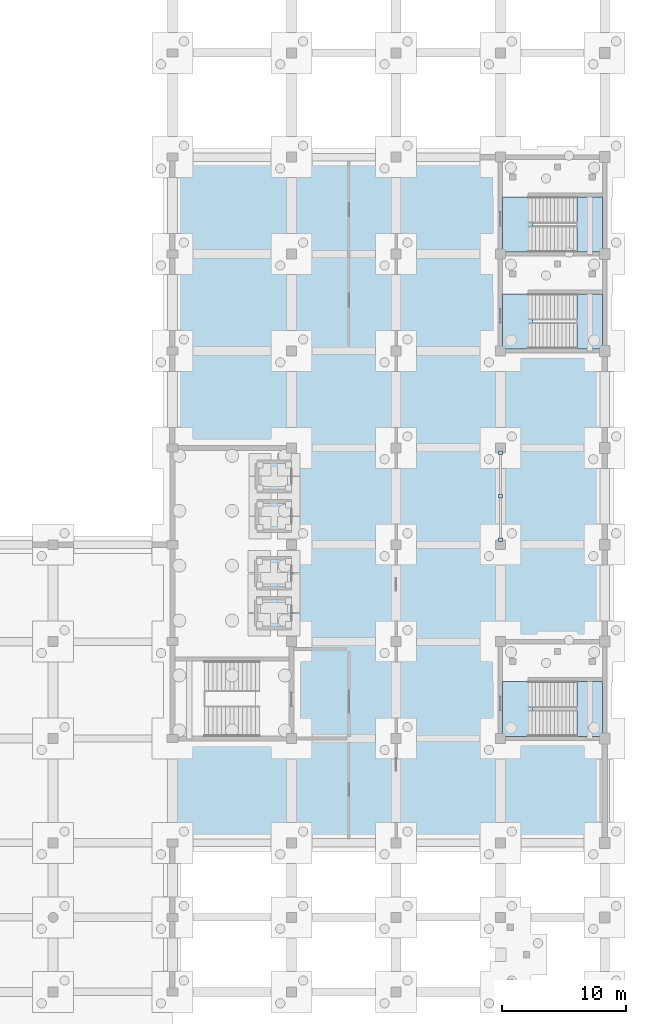
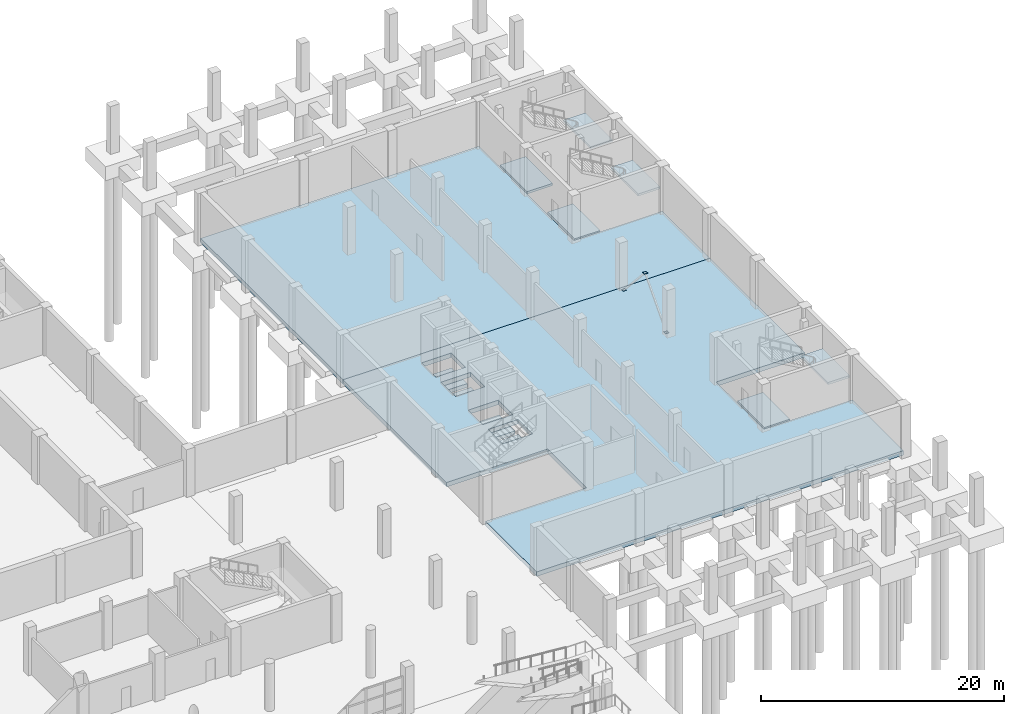
# One storey, part 28 of 42: 12 slabs, 3 plates, 3 elements without a shape of their own.
"""IFC4 building model written with IfcOpenShell, lengths in metres."""

from ifc_helpers import new_model, si_unit, direction, frame, origin, origin_2d, place, context, subcontext, project, spatial, polyline, rectangle, outline, extrude, material, layer, layer_set, type_object, element, aggregate, save


model = new_model("IFC4")

# Units and contexts
model_context = context("Model", 3, precision=1e-05, world=origin(), true_north=direction((0.0, 1.0)))
body_context = subcontext(model_context, "Body", "Model", "MODEL_VIEW")
ifc_project = project(units=[si_unit("LENGTHUNIT", "METRE"), si_unit("AREAUNIT", "SQUARE_METRE"), si_unit("VOLUMEUNIT", "CUBIC_METRE"), si_unit("PLANEANGLEUNIT", "RADIAN"), si_unit("MASSUNIT", "GRAM", prefix="KILO")], contexts=[model_context])

# Site, building, storey
site_placement = place(None, origin())
site = spatial("IfcSite", under=ifc_project, at=site_placement, CompositionType="ELEMENT")
building_placement = place(site_placement, origin())
building = spatial("IfcBuilding", under=site, at=building_placement, Name="Pellamere Symphony Hall", CompositionType="ELEMENT")
storey_placement = place(building_placement, frame((0.0, 0.0, -4.800048828125)))
storey = spatial("IfcBuildingStorey", under=building, at=storey_placement, Name="B1", CompositionType="ELEMENT", Elevation=-4.800048828125)

# Stair, slabs
ifc_material_1 = material(Name="Concrete 40 MPa", Category="concrete")
stair_type = type_object("IfcStairType", Name="Stair ST-B W2050", PredefinedType="HALF_TURN_STAIR", material=ifc_material_1)
stair_1_placement = place(storey_placement, origin())
stair_1 = element("IfcStair", 1, at=stair_1_placement, inside=storey, type_object=stair_type, Name="Exit Stair ST05-B1 (B1 to L00)", PredefinedType="HALF_TURN_STAIR")
ifc_layer_1 = layer(ifc_material_1, 0.219970703125, Name="Concrete 40 MPa")
ifc_layer_set_1 = layer_set([ifc_layer_1], Name="Concrete 40 MPa")
slab_type_1 = type_object("IfcSlabType", Name="Stair Landing SL-01 220mm", PredefinedType="LANDING", material=ifc_layer_set_1)
slab_1_placement = place(storey_placement, frame((0.0, 0.0, -0.219970703125)))
slab_1 = element("IfcSlab", 2, at=slab_1_placement, type_object=slab_type_1, Name="Stair ST05-B1 Bottom Landing (B1)", PredefinedType="LANDING", context=body_context, shape_type="SweptSolid", body=[
    extrude(outline(polyline([(164.56005859375, 69.760009765625), (166.97509765625, 69.760009765625), (166.97509765625, 74.199951171875), (164.56005859375, 74.199951171875), (164.56005859375, 69.760009765625)])), origin(), (0.0, 0.0, 1.0), 0.219970703125),
])
slab_2_placement = place(storey_placement, frame((0.0, 0.0, 2.179931640625)))
slab_2 = element("IfcSlab", 3, at=slab_2_placement, type_object=slab_type_1, Name="Stair ST05-B1 Half Landing (B1)", PredefinedType="LANDING", context=body_context, shape_type="SweptSolid", body=[
    extrude(outline(polyline([(170.574951171875, 69.760009765625), (172.639892578125, 69.760009765625), (172.639892578125, 74.199951171875), (170.574951171875, 74.199951171875), (170.574951171875, 69.760009765625)])), origin(), (0.0, 0.0, 1.0), 0.22021484375),
])
aggregate(stair_1, [slab_1, slab_2])

stair_2_placement = place(storey_placement, origin())
stair_2 = element("IfcStair", 4, at=stair_2_placement, inside=storey, type_object=stair_type, Name="Exit Stair ST06-B1 (B1 to L00)", PredefinedType="HALF_TURN_STAIR")
slab_3_placement = place(storey_placement, frame((0.0, 0.0, -0.219970703125)))
slab_3 = element("IfcSlab", 5, at=slab_3_placement, type_object=slab_type_1, Name="Stair ST06-B1 Bottom Landing (B1)", PredefinedType="LANDING", context=body_context, shape_type="SweptSolid", body=[
    extrude(outline(polyline([(164.56005859375, 38.56005859375), (166.97509765625, 38.56005859375), (166.97509765625, 43.0), (164.56005859375, 43.0), (164.56005859375, 38.56005859375)])), origin(), (0.0, 0.0, 1.0), 0.219970703125),
])
slab_4_placement = place(storey_placement, frame((0.0, 0.0, 2.179931640625)))
slab_4 = element("IfcSlab", 6, at=slab_4_placement, type_object=slab_type_1, Name="Stair ST06-B1 Half Landing (B1)", PredefinedType="LANDING", context=body_context, shape_type="SweptSolid", body=[
    extrude(outline(polyline([(170.574951171875, 38.56005859375), (172.639892578125, 38.56005859375), (172.639892578125, 43.0), (170.574951171875, 43.0), (170.574951171875, 38.56005859375)])), origin(), (0.0, 0.0, 1.0), 0.22021484375),
])
aggregate(stair_2, [slab_3, slab_4])

stair_3_placement = place(storey_placement, origin())
stair_3 = element("IfcStair", 7, at=stair_3_placement, inside=storey, type_object=stair_type, Name="Exit Stair ST14-B1 (B1 to L00)", PredefinedType="HALF_TURN_STAIR")
slab_5_placement = place(storey_placement, frame((0.0, 0.0, -0.219970703125)))
slab_5 = element("IfcSlab", 8, at=slab_5_placement, type_object=slab_type_1, Name="Stair ST14-B1 Bottom Landing (B1)", PredefinedType="LANDING", context=body_context, shape_type="SweptSolid", body=[
    extrude(outline(polyline([(164.56005859375, 77.56005859375), (166.97509765625, 77.56005859375), (166.97509765625, 82.0), (164.56005859375, 82.0), (164.56005859375, 77.56005859375)])), origin(), (0.0, 0.0, 1.0), 0.219970703125),
])
slab_6_placement = place(storey_placement, frame((0.0, 0.0, 2.179931640625)))
slab_6 = element("IfcSlab", 9, at=slab_6_placement, type_object=slab_type_1, Name="Stair ST14-B1 Half Landing (B1)", PredefinedType="LANDING", context=body_context, shape_type="SweptSolid", body=[
    extrude(outline(polyline([(170.574951171875, 77.56005859375), (172.639892578125, 77.56005859375), (172.639892578125, 82.0), (170.574951171875, 82.0), (170.574951171875, 77.56005859375)])), origin(), (0.0, 0.0, 1.0), 0.22021484375),
])
aggregate(stair_3, [slab_5, slab_6])

# Plates
ifc_material_2 = material(Name="Steel CSA G40.21 350W", Category="steel")
ifc_layer_2 = layer(ifc_material_2, 0.02001953125, Name="Steel CSA G40.21 350W")
ifc_layer_set_2 = layer_set([ifc_layer_2], Name="Steel CSA G40.21 350W")
plate_type = type_object("IfcPlateType", Name="Steel Connection Plate KP-06 320x280x20", PredefinedType="SHEET", material=ifc_layer_set_2)
for number, where, z_axis, x_axis, name in (
    (10, (164.39990234375, 54.39990234375, -0.010009765625), (0.0, 0.0, 1.0), (1.0, 0.0, 0.0), "Brace End Cap Plate 169"),
    (11, (164.39990234375, 61.39990234375, -0.010009765625), (0.0, 0.0, 1.0), (1.0, 0.0, 0.0), "Brace End Cap Plate 170"),
    (12, (164.39990234375, 57.89990234375, 3.840087890625), (0.0, 0.0, 1.0), (1.0, 0.0, 0.0), "Brace End Cap Plate 171"),
):
    element("IfcPlate", number, at=place(storey_placement, frame(where, z_axis=z_axis, x_axis=x_axis)), inside=storey, type_object=plate_type, Name=name, PredefinedType="SHEET", context=body_context, shape_type="SweptSolid", body=[
        extrude(rectangle(XDim=0.320068359375, YDim=0.280029296875, at=origin_2d()), origin(), (0.0, 0.0, 1.0), 0.02001953125),
    ])

# Slabs
ifc_layer_3 = layer(ifc_material_1, 0.449951171875, Name="Concrete 40 MPa")
ifc_layer_set_3 = layer_set([ifc_layer_3], Name="Concrete 40 MPa")
slab_type_2 = type_object("IfcSlabType", Name="Structural Slab BS-01 450mm", PredefinedType="BASESLAB", material=ifc_layer_set_3)
slab_7_placement = place(storey_placement, frame((0.0, 0.0, -0.449951171875)))
element("IfcSlab", 13, at=slab_7_placement, inside=storey, type_object=slab_type_2, Name="Floor Slab B1-V5S-1", PredefinedType="BASESLAB", context=body_context, shape_type="SweptSolid", body=[
    extrude(outline(polyline([(172.800048828125, 30.0), (138.0, 30.0), (138.0, 38.39990234375), (147.60009765625, 38.39990234375), (147.60009765625, 44.800048828125), (138.0, 44.800048828125), (138.0, 61.800048828125), (172.800048828125, 61.800048828125), (172.800048828125, 46.199951171875), (164.39990234375, 46.199951171875), (164.39990234375, 38.39990234375), (172.800048828125, 38.39990234375), (172.800048828125, 30.0)]), holes=[polyline([(147.60009765625, 49.699951171875), (144.75, 49.699951171875), (144.75, 47.300048828125), (147.60009765625, 47.300048828125), (147.60009765625, 49.699951171875)]), polyline([(147.60009765625, 52.89990234375), (144.75, 52.89990234375), (144.75, 50.5), (147.60009765625, 50.5), (147.60009765625, 52.89990234375)]), polyline([(147.60009765625, 57.47509765625), (144.800048828125, 57.47509765625), (144.800048828125, 55.125), (147.60009765625, 55.125), (147.60009765625, 57.47509765625)]), polyline([(147.60009765625, 60.675048828125), (144.800048828125, 60.675048828125), (144.800048828125, 58.324951171875), (147.60009765625, 58.324951171875), (147.60009765625, 60.675048828125)])]), origin(), (0.0, 0.0, 1.0), 0.449951171875),
])
slab_8_placement = place(storey_placement, frame((0.0, 0.0, -0.449951171875)))
element("IfcSlab", 14, at=slab_8_placement, inside=storey, type_object=slab_type_2, Name="Floor Slab B1-V5N-1", PredefinedType="BASESLAB", context=body_context, shape_type="SweptSolid", body=[
    extrude(outline(polyline([(172.800048828125, 61.800048828125), (138.0, 61.800048828125), (138.0, 85.199951171875), (164.39990234375, 85.199951171875), (164.39990234375, 77.39990234375), (164.39990234375, 69.60009765625), (172.800048828125, 69.60009765625), (172.800048828125, 61.800048828125)])), origin(), (0.0, 0.0, 1.0), 0.449951171875),
])
ifc_layer_4 = layer(ifc_material_1, 0.3798828125, Name="Concrete 40 MPa")
ifc_layer_set_4 = layer_set([ifc_layer_4], Name="Concrete 40 MPa")
slab_type_3 = type_object("IfcSlabType", Name="Structural Slab BS-02 380mm", PredefinedType="BASESLAB", material=ifc_layer_set_4)
slab_9_placement = place(storey_placement, frame((0.0, 0.0, -1.97998046875)))
element("IfcSlab", 15, at=slab_9_placement, inside=storey, type_object=slab_type_3, Name="Elevator FFL1 Pit Base Slab", PredefinedType="BASESLAB", context=body_context, shape_type="SweptSolid", body=[
    extrude(outline(polyline([(144.6298828125, 47.179931640625), (147.719970703125, 47.179931640625), (147.719970703125, 49.820068359375), (144.6298828125, 49.820068359375), (144.6298828125, 47.179931640625)])), origin(), (0.0, 0.0, 1.0), 0.380126953125),
])
slab_10_placement = place(storey_placement, frame((0.0, 0.0, -1.97998046875)))
element("IfcSlab", 16, at=slab_10_placement, inside=storey, type_object=slab_type_3, Name="Elevator FFL2 Pit Base Slab", PredefinedType="BASESLAB", context=body_context, shape_type="SweptSolid", body=[
    extrude(outline(polyline([(144.6298828125, 50.3798828125), (147.719970703125, 50.3798828125), (147.719970703125, 53.02001953125), (144.6298828125, 53.02001953125), (144.6298828125, 50.3798828125)])), origin(), (0.0, 0.0, 1.0), 0.380126953125),
])
slab_11_placement = place(storey_placement, frame((0.0, 0.0, -1.97998046875)))
element("IfcSlab", 17, at=slab_11_placement, inside=storey, type_object=slab_type_3, Name="Elevator PL3 Pit Base Slab", PredefinedType="BASESLAB", context=body_context, shape_type="SweptSolid", body=[
    extrude(outline(polyline([(144.679931640625, 55.0048828125), (147.719970703125, 55.0048828125), (147.719970703125, 57.594970703125), (144.679931640625, 57.594970703125), (144.679931640625, 55.0048828125)])), origin(), (0.0, 0.0, 1.0), 0.380126953125),
])
slab_12_placement = place(storey_placement, frame((0.0, 0.0, -1.97998046875)))
element("IfcSlab", 18, at=slab_12_placement, inside=storey, type_object=slab_type_3, Name="Elevator PL4 Pit Base Slab", PredefinedType="BASESLAB", context=body_context, shape_type="SweptSolid", body=[
    extrude(outline(polyline([(144.679931640625, 58.205078125), (147.719970703125, 58.205078125), (147.719970703125, 60.794921875), (144.679931640625, 60.794921875), (144.679931640625, 58.205078125)])), origin(), (0.0, 0.0, 1.0), 0.380126953125),
])

save(model, "model.ifc")
